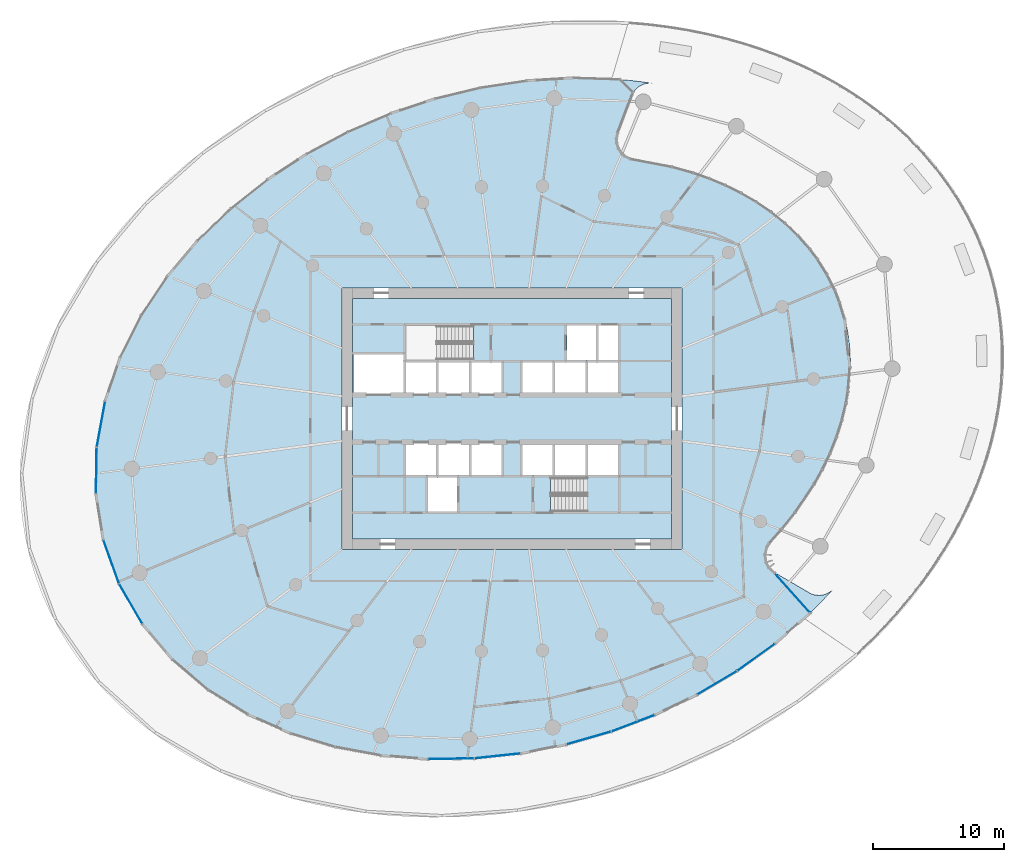
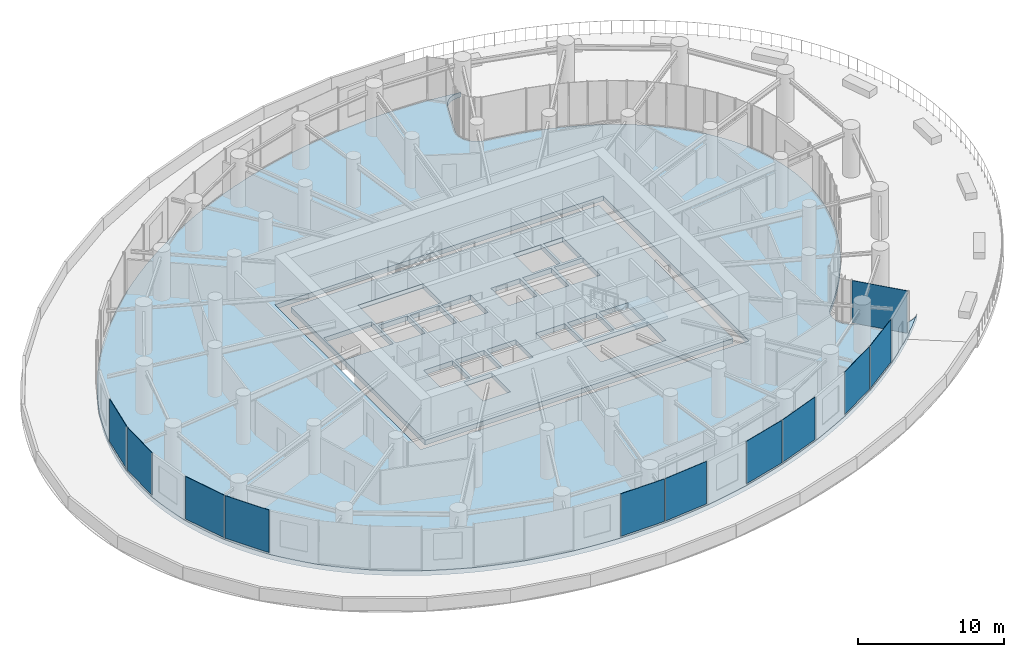
# One storey, part 9 of 24: 11 plates, 3 slabs, 6 elements without a shape of their own.
"""IFC4 building model written with IfcOpenShell, lengths in metres."""

from ifc_helpers import new_model, si_unit, direction, frame, origin, origin_2d, place, context, subcontext, project, spatial, line, indexed_curve, rectangle, outline, extrude, source, transform, mapped, material, layer, layer_set, type_object, element, aggregate, save


model = new_model("IFC4")

# Units and contexts
model_context = context("Model", 3, precision=1e-05, world=origin(), true_north=direction((0.0, 1.0)))
body_context = subcontext(model_context, "Body", "Model", "MODEL_VIEW")
ifc_project = project(units=[si_unit("LENGTHUNIT", "METRE"), si_unit("AREAUNIT", "SQUARE_METRE"), si_unit("VOLUMEUNIT", "CUBIC_METRE"), si_unit("PLANEANGLEUNIT", "RADIAN"), si_unit("MASSUNIT", "GRAM", prefix="KILO")], contexts=[model_context])

# Site, building, storey
site_placement = place(None, origin())
site = spatial("IfcSite", under=ifc_project, at=site_placement, CompositionType="ELEMENT")
building_placement = place(site_placement, origin())
building = spatial("IfcBuilding", under=site, at=building_placement, Name="Spindrift Exchange Tower", CompositionType="ELEMENT")
storey_placement = place(building_placement, frame((0.0, 0.0, 79.800048828125)))
storey = spatial("IfcBuildingStorey", under=building, at=storey_placement, Name="L18", CompositionType="ELEMENT", Elevation=79.800048828125)

# Slabs
ifc_material_1 = material(Name="Concrete 50 MPa", Category="concrete")
ifc_layer_1 = layer(ifc_material_1, 0.39990234375)
ifc_layer_set_1 = layer_set([ifc_layer_1], Name="RC Floor Slab 400 Concrete 50 MPa")
slab_type_1 = type_object("IfcSlabType", Name="RC Floor Slab 400 Concrete 50 MPa", PredefinedType="FLOOR", material=ifc_layer_set_1)
slab_1_placement = place(storey_placement, frame((0.0, 0.0, -0.400146484375)))
element("IfcSlab", 1, at=slab_1_placement, inside=storey, type_object=slab_type_1, Name="Floor slab L18", PredefinedType="FLOOR", context=body_context, shape_type="SweptSolid", body=[
    extrude(outline(indexed_curve([(76.538330078125, 34.968505859375), (75.668212890625, 34.03564453125), (75.313720703125, 33.67529296875), (74.58984375, 32.9697265625), (74.220703125, 32.62451171875), (73.468017578125, 31.949951171875), (72.697021484375, 31.2958984375), (71.908935546875, 30.6630859375), (71.5087890625, 30.354248046875), (70.6962890625, 29.752685546875), (70.284423828125, 29.4599609375), (69.449462890625, 28.89013671875), (69.026611328125, 28.61328125), (68.1708984375, 28.075439453125), (67.73779296875, 27.814697265625), (66.862548828125, 27.30908203125), (65.97509765625, 26.8251953125), (65.075927734375, 26.363037109375), (64.166015625, 25.9228515625), (63.707275390625, 25.711181640625), (63.245849609375, 25.504638671875), (62.315673828125, 25.108642578125), (61.37646484375, 24.735107421875), (60.903564453125, 24.556640625), (60.4287109375, 24.384033203125), (59.472412109375, 24.0556640625), (58.509033203125, 23.75), (58.0244140625, 23.60595703125), (57.050537109375, 23.335205078125), (56.070556640625, 23.088134765625), (55.578125, 22.973388671875), (54.58984375, 22.76171875), (54.09375, 22.6650390625), (53.09814453125, 22.489990234375), (52.598876953125, 22.41162109375), (51.597412109375, 22.273193359375), (50.593017578125, 22.160400390625), (49.5859375, 22.072509765625), (48.576904296875, 22.0107421875), (48.072021484375, 21.98974609375), (47.0615234375, 21.96728515625), (46.555908203125, 21.96630859375), (45.54541015625, 21.984375), (45.040283203125, 22.003662109375), (44.03125, 22.063232421875), (43.024169921875, 22.151123046875), (42.020263671875, 22.267578125), (41.51953125, 22.336669921875), (40.521484375, 22.497314453125), (39.52880859375, 22.687744140625), (39.03466796875, 22.79443359375), (38.052001953125, 23.031005859375), (37.077392578125, 23.298828125), (36.593505859375, 23.444580078125), (35.63330078125, 23.760498046875), (34.684326171875, 24.10888671875), (34.214599609375, 24.295654296875), (33.28564453125, 24.694091796875), (32.371826171875, 25.126220703125), (31.921142578125, 25.35498046875), (31.03369140625, 25.83837890625), (30.596923828125, 26.09326171875), (30.16552734375, 26.3564453125), (29.73974609375, 26.628662109375), (29.3193359375, 26.9091796875), (28.905029296875, 27.19873046875), (28.4970703125, 27.496826171875), (28.09521484375, 27.8037109375), (27.700439453125, 28.119384765625), (27.312744140625, 28.443359375), (26.93212890625, 28.776123046875), (26.559326171875, 29.1171875), (26.1943359375, 29.467041015625), (25.837646484375, 29.824951171875), (25.489501953125, 30.19140625), (25.150146484375, 30.56591796875), (24.819580078125, 30.948486328125), (24.498779296875, 31.3388671875), (24.1875, 31.737060546875), (23.885986328125, 32.142578125), (23.594970703125, 32.555908203125), (23.314453125, 32.976318359375), (23.04443359375, 33.403564453125), (22.78564453125, 33.837646484375), (22.537841796875, 34.2783203125), (22.3017578125, 34.72509765625), (22.0771484375, 35.177734375), (21.864501953125, 35.63623046875), (21.663818359375, 36.10009765625), (21.475341796875, 36.569091796875), (21.29931640625, 37.04296875), (21.135498046875, 37.52099609375), (20.984619140625, 38.00341796875), (20.84619140625, 38.489501953125), (20.720458984375, 38.97900390625), (20.607666015625, 39.4716796875), (20.507568359375, 39.967041015625), (20.42041015625, 40.46484375), (20.345947265625, 40.96484375), (20.2841796875, 41.466552734375), (20.2353515625, 41.969482421875), (20.198974609375, 42.4736328125), (20.17529296875, 42.978515625), (20.164306640625, 43.48388671875), (20.16552734375, 43.9892578125), (20.178955078125, 44.494384765625), (20.20458984375, 44.999267578125), (20.2421875, 45.503173828125), (20.29150390625, 46.006103515625), (20.3525390625, 46.5078125), (20.42529296875, 47.008056640625), (20.509033203125, 47.506591796875), (20.60400390625, 48.0029296875), (20.7099609375, 48.497314453125), (20.826416015625, 48.989013671875), (20.95361328125, 49.47802734375), (21.091064453125, 49.964599609375), (21.238525390625, 50.447998046875), (21.39599609375, 50.92822265625), (21.56298828125, 51.4052734375), (21.92578125, 52.3486328125), (22.12060546875, 52.81494140625), (22.537109375, 53.736083984375), (22.75830078125, 54.1904296875), (23.22509765625, 55.0869140625), (23.470703125, 55.52880859375), (23.984375, 56.3994140625), (24.25244140625, 56.827880859375), (24.809814453125, 57.671142578125), (25.098876953125, 58.085693359375), (25.697021484375, 58.900634765625), (26.005615234375, 59.30078125), (26.641357421875, 60.086669921875), (26.96826171875, 60.47216796875), (27.638916015625, 61.228515625), (27.98291015625, 61.598876953125), (28.686279296875, 62.32470703125), (29.045654296875, 62.68017578125), (29.779296875, 63.37548828125), (30.531982421875, 64.050048828125), (31.302978515625, 64.7041015625), (31.69482421875, 65.023193359375), (32.4912109375, 65.645751953125), (32.8955078125, 65.94921875), (33.715576171875, 66.5400390625), (34.550537109375, 67.10986328125), (34.973388671875, 67.38671875), (35.8291015625, 67.924560546875), (36.6982421875, 68.44091796875), (37.137451171875, 68.69091796875), (38.02490234375, 69.1748046875), (38.47314453125, 69.40869140625), (39.377685546875, 69.859619140625), (39.833984375, 70.0771484375), (40.754150390625, 70.495361328125), (41.684326171875, 70.891357421875), (42.62353515625, 71.264892578125), (43.5712890625, 71.615966796875), (44.527587890625, 71.9443359375), (45.490966796875, 72.25), (45.9755859375, 72.39404296875), (46.949462890625, 72.664794921875), (47.929443359375, 72.911865234375), (48.915283203125, 73.135498046875), (49.41015625, 73.23828125), (50.403564453125, 73.425537109375), (51.401123046875, 73.58837890625), (52.402587890625, 73.726806640625), (52.904296875, 73.786376953125), (53.91015625, 73.88671875), (54.4140625, 73.927490234375), (55.423095703125, 73.9892578125), (55.927978515625, 74.01025390625), (56.9384765625, 74.03271484375), (57.94921875, 74.028076171875), (58.959716796875, 73.996337890625), (59.46435546875, 73.969970703125), (60.47265625, 73.896484375), (60.975830078125, 73.848876953125), (61.979736328125, 73.732421875), (62.741455078125, 73.623291015625), (62.63720703125, 73.634033203125), (62.490478515625, 73.635009765625), (62.344482421875, 73.621337890625), (62.200439453125, 73.59375), (62.059814453125, 73.552001953125), (61.923828125, 73.4970703125), (61.7939453125, 73.428955078125), (61.67138671875, 73.348388671875), (61.55712890625, 73.256591796875), (61.452392578125, 73.15380859375), (61.3583984375, 73.041259765625), (61.275634765625, 72.92041015625), (61.205078125, 72.791748046875), (61.1474609375, 72.656982421875), (60.097900390625, 69.82861328125), (60.052734375, 69.685546875), (60.022216796875, 69.538330078125), (60.00634765625, 69.388916015625), (60.005615234375, 69.23876953125), (60.019775390625, 69.08935546875), (60.048828125, 68.94189453125), (60.092529296875, 68.798095703125), (60.150390625, 68.65966796875), (60.2216796875, 68.52734375), (60.305908203125, 68.403076171875), (60.402099609375, 68.28759765625), (60.509521484375, 68.1826171875), (60.626708984375, 68.08837890625), (60.752685546875, 68.0068359375), (60.88623046875, 67.93798828125), (61.026123046875, 67.883056640625), (61.170654296875, 67.84228515625), (62.182861328125, 67.689697265625), (62.5966796875, 67.619384765625), (63.40673828125, 67.462158203125), (64.209716796875, 67.27978515625), (65.027587890625, 67.06591796875), (65.4501953125, 66.943359375), (66.257568359375, 66.685791015625), (66.6806640625, 66.537841796875), (67.484130859375, 66.230712890625), (67.905029296875, 66.05517578125), (68.69921875, 65.694580078125), (69.099609375, 65.497314453125), (69.512451171875, 65.2822265625), (69.906982421875, 65.06494140625), (70.282470703125, 64.846923828125), (70.684326171875, 64.6005859375), (71.066162109375, 64.35302734375), (71.44287109375, 64.095458984375), (71.7978515625, 63.83935546875), (72.177978515625, 63.549560546875), (72.53564453125, 63.260986328125), (72.869873046875, 62.976318359375), (73.212158203125, 62.668212890625), (73.5615234375, 62.334716796875), (73.88623046875, 62.005615234375), (74.18603515625, 61.68359375), (74.4912109375, 61.3359375), (74.78564453125, 60.978759765625), (75.083251953125, 60.59326171875), (75.340576171875, 60.23681640625), (75.60009765625, 59.852783203125), (75.85986328125, 59.439208984375), (76.09326171875, 59.0380859375), (76.3017578125, 58.651611328125), (76.508544921875, 58.236328125), (76.701416015625, 57.814208984375), (76.88916015625, 57.3623046875), (77.052001953125, 56.927490234375), (77.2001953125, 56.48779296875), (77.33349609375, 56.043212890625), (77.451416015625, 55.594482421875), (77.55419921875, 55.14208984375), (77.6376953125, 54.7109375), (77.7109375, 54.252685546875), (77.771728515625, 53.76806640625), (77.814208984375, 53.306396484375), (77.840576171875, 52.86767578125), (77.854248046875, 52.380859375), (77.8525390625, 51.917724609375), (77.83642578125, 51.45556640625), (77.808349609375, 51.0166015625), (77.765380859375, 50.556396484375), (77.7060546875, 50.076904296875), (77.63623046875, 49.621826171875), (77.5576171875, 49.189697265625), (77.46337890625, 48.739990234375), (77.352783203125, 48.27490234375), (77.239990234375, 47.851806640625), (77.11181640625, 47.4140625), (76.972900390625, 46.980712890625), (76.81787109375, 46.53564453125), (76.665283203125, 46.12890625), (76.497314453125, 45.7109375), (76.314208984375, 45.283203125), (76.12890625, 44.876708984375), (75.74267578125, 44.09521484375), (75.52783203125, 43.69287109375), (75.1005859375, 42.9462890625), (74.86669921875, 42.563720703125), (74.40478515625, 41.853271484375), (74.1552734375, 41.490966796875), (73.65771484375, 40.807373046875), (73.151611328125, 40.157958984375), (72.6240234375, 39.523193359375), (72.348388671875, 39.206787109375), (71.661376953125, 38.447998046875), (71.575439453125, 38.324951171875), (71.502197265625, 38.19384765625), (71.442138671875, 38.055908203125), (71.396484375, 37.912841796875), (71.364990234375, 37.76611328125), (71.3486328125, 37.61669921875), (71.347412109375, 37.466552734375), (71.36083984375, 37.31689453125), (71.389404296875, 37.16943359375), (71.432373046875, 37.025390625), (71.489501953125, 36.88671875), (71.560302734375, 36.754150390625), (71.643798828125, 36.62939453125), (71.73974609375, 36.513427734375), (71.846435546875, 36.407958984375), (71.96337890625, 36.3134765625), (72.0888671875, 36.231201171875), (74.69189453125, 34.70654296875), (74.82177734375, 34.638671875), (74.957763671875, 34.583984375), (75.098388671875, 34.54248046875), (75.24267578125, 34.51513671875), (75.388671875, 34.501953125), (75.535400390625, 34.5029296875), (75.68115234375, 34.518310546875), (75.82470703125, 34.5478515625), (75.96484375, 34.59130859375), (76.10009765625, 34.648193359375), (76.22900390625, 34.718017578125), (76.3505859375, 34.7998046875), (76.463623046875, 34.893310546875)], segments=[line(1, 2, 3, 4, 5, 6, 7, 8, 9, 10, 11, 12, 13, 14, 15, 16, 17, 18, 19, 20, 21, 22, 23, 24, 25, 26, 27, 28, 29, 30, 31, 32, 33, 34, 35, 36, 37, 38, 39, 40, 41, 42, 43, 44, 45, 46, 47, 48, 49, 50, 51, 52, 53, 54, 55, 56, 57, 58, 59, 60, 61, 62, 63, 64, 65, 66, 67, 68, 69, 70, 71, 72, 73, 74, 75, 76, 77, 78, 79, 80, 81, 82, 83, 84, 85, 86, 87, 88, 89, 90, 91, 92, 93, 94, 95, 96, 97, 98, 99, 100, 101, 102, 103, 104, 105, 106, 107, 108, 109, 110, 111, 112, 113, 114, 115, 116, 117, 118, 119, 120, 121, 122, 123, 124, 125, 126, 127, 128, 129, 130, 131, 132, 133, 134, 135, 136, 137, 138, 139, 140, 141, 142, 143, 144, 145, 146, 147, 148, 149, 150, 151, 152, 153, 154, 155, 156, 157, 158, 159, 160, 161, 162, 163, 164, 165, 166, 167, 168, 169, 170, 171, 172, 173, 174, 175, 176, 177, 178, 179, 180, 181, 182, 183, 184, 185, 186, 187, 188, 189, 190, 191, 192, 193, 194, 195, 196, 197, 198, 199, 200, 201, 202, 203, 204, 205, 206, 207, 208, 209, 210, 211, 212, 213, 214, 215, 216, 217, 218, 219, 220, 221, 222, 223, 224, 225, 226, 227, 228, 229, 230, 231, 232, 233, 234, 235, 236, 237, 238, 239, 240, 241, 242, 243, 244, 245, 246, 247, 248, 249, 250, 251, 252, 253, 254, 255, 256, 257, 258, 259, 260, 261, 262, 263, 264, 265, 266, 267, 268, 269, 270, 271, 272, 273, 274, 275, 276, 277, 278, 279, 280, 281, 282, 283, 284, 285, 286, 287, 288, 289, 290, 291, 292, 293, 294, 295, 296, 297, 298, 299, 300, 301, 302, 303, 304, 305, 306, 307, 308, 309, 310, 311, 312, 313, 314, 315, 316, 317, 318, 319, 320, 1)], self_intersect=False), holes=[indexed_curve([(39.0, 38.0), (65.0, 38.0), (65.0, 58.0), (39.0, 58.0)], segments=[line(1, 2, 3, 4, 1)], self_intersect=False)]), origin(), (0.0, 0.0, 1.0), 0.400146484375),
])
ifc_layer_2 = layer(ifc_material_1, 0.39990234375)
ifc_layer_set_2 = layer_set([ifc_layer_2], Name="SL-CORE-FLOOR-400")
slab_type_2 = type_object("IfcSlabType", Name="SL-CORE-FLOOR-400", PredefinedType="FLOOR", material=ifc_layer_set_2)
slab_2_placement = place(storey_placement, frame((0.0, 0.0, -0.400146484375)))
element("IfcSlab", 2, at=slab_2_placement, inside=storey, type_object=slab_type_2, Name="L18 Core floor slab", PredefinedType="FLOOR", context=body_context, shape_type="SweptSolid", body=[
    extrude(outline(indexed_curve([(39.800048828125, 38.800048828125), (39.800048828125, 57.199951171875), (64.199951171875, 57.199951171875), (64.199951171875, 38.800048828125)], segments=[line(1, 2, 3, 4, 1)], self_intersect=False), holes=[indexed_curve([(47.800048828125, 43.5), (45.60009765625, 43.5), (45.60009765625, 40.89990234375), (47.800048828125, 40.89990234375)], segments=[line(1, 2, 3, 4, 1)], self_intersect=False), indexed_curve([(46.199951171875, 46.10009765625), (43.89990234375, 46.10009765625), (43.89990234375, 43.699951171875), (46.199951171875, 43.699951171875)], segments=[line(1, 2, 3, 4, 1)], self_intersect=False), indexed_curve([(48.699951171875, 46.10009765625), (46.39990234375, 46.10009765625), (46.39990234375, 43.699951171875), (48.699951171875, 43.699951171875)], segments=[line(1, 2, 3, 4, 1)], self_intersect=False), indexed_curve([(51.199951171875, 46.10009765625), (48.89990234375, 46.10009765625), (48.89990234375, 43.699951171875), (51.199951171875, 43.699951171875)], segments=[line(1, 2, 3, 4, 1)], self_intersect=False), indexed_curve([(46.199951171875, 52.300048828125), (43.89990234375, 52.300048828125), (43.89990234375, 49.89990234375), (46.199951171875, 49.89990234375)], segments=[line(1, 2, 3, 4, 1)], self_intersect=False), indexed_curve([(48.699951171875, 52.300048828125), (46.39990234375, 52.300048828125), (46.39990234375, 49.89990234375), (48.699951171875, 49.89990234375)], segments=[line(1, 2, 3, 4, 1)], self_intersect=False), indexed_curve([(51.199951171875, 52.300048828125), (48.89990234375, 52.300048828125), (48.89990234375, 49.89990234375), (51.199951171875, 49.89990234375)], segments=[line(1, 2, 3, 4, 1)], self_intersect=False), indexed_curve([(43.699951171875, 49.89990234375), (43.699951171875, 52.89990234375), (39.89990234375, 52.89990234375), (39.89990234375, 49.89990234375)], segments=[line(1, 2, 3, 4, 1)], self_intersect=False), indexed_curve([(49.0439453125, 55.093994140625), (43.906005859375, 55.093994140625), (43.906005859375, 52.506103515625), (49.0439453125, 52.506103515625)], segments=[line(1, 2, 3, 4, 1)], self_intersect=False), indexed_curve([(60.093994140625, 40.906005859375), (60.093994140625, 43.493896484375), (54.9560546875, 43.493896484375), (54.9560546875, 40.906005859375)], segments=[line(1, 2, 3, 4, 1)], self_intersect=False), indexed_curve([(55.10009765625, 46.10009765625), (52.800048828125, 46.10009765625), (52.800048828125, 43.699951171875), (55.10009765625, 43.699951171875)], segments=[line(1, 2, 3, 4, 1)], self_intersect=False), indexed_curve([(57.60009765625, 46.10009765625), (55.300048828125, 46.10009765625), (55.300048828125, 43.699951171875), (57.60009765625, 43.699951171875)], segments=[line(1, 2, 3, 4, 1)], self_intersect=False), indexed_curve([(60.10009765625, 46.10009765625), (57.800048828125, 46.10009765625), (57.800048828125, 43.699951171875), (60.10009765625, 43.699951171875)], segments=[line(1, 2, 3, 4, 1)], self_intersect=False), indexed_curve([(55.10009765625, 52.300048828125), (52.800048828125, 52.300048828125), (52.800048828125, 49.89990234375), (55.10009765625, 49.89990234375)], segments=[line(1, 2, 3, 4, 1)], self_intersect=False), indexed_curve([(57.60009765625, 52.300048828125), (55.300048828125, 52.300048828125), (55.300048828125, 49.89990234375), (57.60009765625, 49.89990234375)], segments=[line(1, 2, 3, 4, 1)], self_intersect=False), indexed_curve([(60.10009765625, 52.300048828125), (57.800048828125, 52.300048828125), (57.800048828125, 49.89990234375), (60.10009765625, 49.89990234375)], segments=[line(1, 2, 3, 4, 1)], self_intersect=False), indexed_curve([(58.39990234375, 52.5), (58.39990234375, 55.10009765625), (56.199951171875, 55.10009765625), (56.199951171875, 52.5)], segments=[line(1, 2, 3, 4, 1)], self_intersect=False), indexed_curve([(60.10009765625, 52.5), (60.10009765625, 55.10009765625), (58.60009765625, 55.10009765625), (58.60009765625, 52.5)], segments=[line(1, 2, 3, 4, 1)], self_intersect=False)]), origin(), (0.0, 0.0, 1.0), 0.400146484375),
])

# Stair, slab
stair_type = type_object("IfcStairType", Name="ST-1250-R186", PredefinedType="HALF_TURN_STAIR", material=ifc_material_1)
stair_placement = place(storey_placement, origin())
stair = element("IfcStair", 3, at=stair_placement, inside=storey, type_object=stair_type, Name="L18 Exit stair ST2", PredefinedType="HALF_TURN_STAIR")
ifc_layer_3 = layer(ifc_material_1, 0.199951171875)
ifc_layer_set_3 = layer_set([ifc_layer_3], Name="SL-LANDING")
slab_type_3 = type_object("IfcSlabType", Name="SL-LANDING", PredefinedType="LANDING", material=ifc_layer_set_3)
slab_3_placement = place(storey_placement, frame((0.0, 0.0, 1.849853515625)))
slab_3 = element("IfcSlab", 4, at=slab_3_placement, type_object=slab_type_3, Name="ST2 landing 1", PredefinedType="LANDING", context=body_context, shape_type="SweptSolid", body=[
    extrude(outline(indexed_curve([(57.669921875, 43.60009765625), (60.199951171875, 43.60009765625), (60.199951171875, 40.800048828125), (57.669921875, 40.800048828125)], segments=[line(1, 2, 3, 4, 1)], self_intersect=False)), origin(), (0.0, 0.0, 1.0), 0.2001953125),
])
aggregate(stair, [slab_3])

# Curtain wall, plate
ifc_material_2 = material(Name="Fritted laminated glass with bronze frame", Category="glass")
ifc_layer_4 = layer(ifc_material_2, 0.18994140625)
ifc_layer_set_4 = layer_set([ifc_layer_4], Name="ZONE 2 BRONZE FRITTED WALL")
curtain_wall_type_1 = type_object("IfcCurtainWallType", Name="ZONE 2 BRONZE FRITTED WALL", PredefinedType="NOTDEFINED", material=ifc_layer_set_4)
curtain_wall_1_placement = place(storey_placement, origin())
curtain_wall_1 = element("IfcCurtainWall", 5, at=curtain_wall_1_placement, inside=storey, type_object=curtain_wall_type_1, Name="L18 Zone 2 Bronze Fritted Wall run 5", PredefinedType="NOTDEFINED")
ifc_material_3 = material(Name="Bronze tinted laminated glass, light frit", Category="glass")
ifc_layer_5 = layer(ifc_material_3, 0.033935546875)
ifc_layer_set_5 = layer_set([ifc_layer_5], Name="ZONE 2 BRONZE FRITTED WALL PANEL LIGHT FRIT 1200")
plate_type_1 = type_object("IfcPlateType", Name="ZONE 2 BRONZE FRITTED WALL PANEL LIGHT FRIT 1200", PredefinedType="CURTAIN_PANEL", material=ifc_layer_set_5)
shared_shape_1 = source(origin(), body_context, "Body", "SweptSolid", [
    extrude(rectangle(XDim=3.49169921875, YDim=0.033935546875, at=origin_2d()), origin(), (0.0, 0.0, 1.0), 3.56005859375),
])
plate_1_placement = place(storey_placement, frame((57.871337890625, 23.60107421875, 0.139892578125), z_axis=(0.0, 0.0, 1.0), x_axis=(0.961181315092, 0.275917523037, 0.0)))
plate_1 = element("IfcPlate", 6, at=plate_1_placement, type_object=plate_type_1, Name="L18 panel CW-2.30", PredefinedType="CURTAIN_PANEL", context=body_context, shape_type="MappedRepresentation", body=[
    mapped(shared_shape_1, transform((0.0, 0.0, 0.0), scale=1.0)),
])

# Curtain wall, plates
curtain_wall_2_placement = place(storey_placement, origin())
curtain_wall_2 = element("IfcCurtainWall", 7, at=curtain_wall_2_placement, inside=storey, type_object=curtain_wall_type_1, Name="L18 Zone 2 Bronze Fritted Wall run 6", PredefinedType="NOTDEFINED")
plate_2_placement = place(storey_placement, frame((61.251953125, 24.727783203125, 0.139892578125), z_axis=(0.0, 0.0, 1.0), x_axis=(0.934533444861, 0.355875315857, 0.0)))
plate_2 = element("IfcPlate", 8, at=plate_2_placement, type_object=plate_type_1, Name="L18 panel CW-2.31", PredefinedType="CURTAIN_PANEL", context=body_context, shape_type="MappedRepresentation", body=[
    mapped(shared_shape_1, transform((0.0, 0.0, 0.0), scale=1.0)),
])
plate_3_placement = place(storey_placement, frame((67.666748046875, 27.81787109375, 0.139892578125), z_axis=(0.0, 0.0, 1.0), x_axis=(0.860400670885, 0.509618176226, 0.0)))
plate_3 = element("IfcPlate", 9, at=plate_3_placement, type_object=plate_type_1, Name="L18 panel CW-2.33", PredefinedType="CURTAIN_PANEL", context=body_context, shape_type="MappedRepresentation", body=[
    mapped(shared_shape_1, transform((0.0, 0.0, 0.0), scale=1.0)),
])

# Plate
shared_shape_2 = source(origin(), body_context, "Body", "SweptSolid", [
    extrude(rectangle(XDim=3.491455078125, YDim=0.033935546875, at=origin_2d()), origin(), (0.0, 0.0, 1.0), 3.56005859375),
])
plate_4_placement = place(storey_placement, frame((50.884521484375, 22.23046875, 0.139892578125), z_axis=(0.0, 0.0, 1.0), x_axis=(0.994304697232, 0.106574711176, 0.0)))
plate_4 = element("IfcPlate", 10, at=plate_4_placement, type_object=plate_type_1, Name="L18 panel CW-2.28", PredefinedType="CURTAIN_PANEL", context=body_context, shape_type="MappedRepresentation", body=[
    mapped(shared_shape_2, transform((0.0, 0.0, 0.0), scale=1.0)),
])

# Curtain wall, plates
curtain_wall_3_placement = place(storey_placement, origin())
curtain_wall_3 = element("IfcCurtainWall", 11, at=curtain_wall_3_placement, inside=storey, type_object=curtain_wall_type_1, Name="L18 Zone 2 Bronze Fritted Wall run 3", PredefinedType="NOTDEFINED")
shared_shape_3 = source(origin(), body_context, "Body", "SweptSolid", [
    extrude(rectangle(XDim=3.489013671875, YDim=0.033935546875, at=origin_2d()), origin(), (0.0, 0.0, 1.0), 3.56005859375),
])
plate_5_placement = place(storey_placement, frame((20.593994140625, 47.58154296875, 0.139892578125), z_axis=(0.0, 0.0, 1.0), x_axis=(-0.180215288519, -0.983627190446, 0.0)))
plate_5 = element("IfcPlate", 12, at=plate_5_placement, type_object=plate_type_1, Name="L18 panel CW-2.15", PredefinedType="CURTAIN_PANEL", context=body_context, shape_type="MappedRepresentation", body=[
    mapped(shared_shape_3, transform((0.0, 0.0, 0.0), scale=1.0)),
])
shared_shape_4 = source(origin(), body_context, "Body", "SweptSolid", [
    extrude(rectangle(XDim=3.48828125, YDim=0.033935546875, at=origin_2d()), origin(), (0.0, 0.0, 1.0), 3.56005859375),
])
plate_6_placement = place(storey_placement, frame((20.24267578125, 44.04736328125, 0.139892578125), z_axis=(0.0, 0.0, 1.0), x_axis=(-0.016949825986, -0.999856341381, 0.0)))
plate_6 = element("IfcPlate", 13, at=plate_6_placement, type_object=plate_type_1, Name="L18 panel CW-2.16", PredefinedType="CURTAIN_PANEL", context=body_context, shape_type="MappedRepresentation", body=[
    mapped(shared_shape_4, transform((0.0, 0.0, 0.0), scale=1.0)),
])
ifc_layer_6 = layer(ifc_material_3, 0.033935546875)
ifc_layer_set_6 = layer_set([ifc_layer_6], Name="ZONE 2 BRONZE FRITTED WALL PANEL LIGHT FRIT 960")
plate_type_2 = type_object("IfcPlateType", Name="ZONE 2 BRONZE FRITTED WALL PANEL LIGHT FRIT 960", PredefinedType="CURTAIN_PANEL", material=ifc_layer_set_6)
shared_shape_5 = source(origin(), body_context, "Body", "SweptSolid", [
    extrude(rectangle(XDim=3.487548828125, YDim=0.033935546875, at=origin_2d()), origin(), (0.0, 0.0, 1.0), 3.56005859375),
])
plate_7_placement = place(storey_placement, frame((21.376708984375, 37.070556640625, 0.139892578125), z_axis=(0.0, 0.0, 1.0), x_axis=(0.336132181099, -0.94181482088, 0.0)))
plate_7 = element("IfcPlate", 14, at=plate_7_placement, type_object=plate_type_2, Name="L18 panel CW-2.18", PredefinedType="CURTAIN_PANEL", context=body_context, shape_type="MappedRepresentation", body=[
    mapped(shared_shape_5, transform((0.0, 0.0, 0.0), scale=1.0)),
])
aggregate(curtain_wall_3, [plate_5, plate_6, plate_7])

# Curtain wall, plate
curtain_wall_4_placement = place(storey_placement, origin())
curtain_wall_4 = element("IfcCurtainWall", 15, at=curtain_wall_4_placement, inside=storey, type_object=curtain_wall_type_1, Name="L18 Zone 2 Bronze Fritted Wall run 4", PredefinedType="NOTDEFINED")
shared_shape_6 = source(origin(), body_context, "Body", "SweptSolid", [
    extrude(rectangle(XDim=3.48779296875, YDim=0.033935546875, at=origin_2d()), origin(), (0.0, 0.0, 1.0), 3.56005859375),
])
plate_8_placement = place(storey_placement, frame((22.8701171875, 33.852294921875, 0.139892578125), z_axis=(0.0, 0.0, 1.0), x_axis=(0.502259496292, -0.864716946974, 0.0)))
plate_8 = element("IfcPlate", 16, at=plate_8_placement, type_object=plate_type_1, Name="L18 panel CW-2.19", PredefinedType="CURTAIN_PANEL", context=body_context, shape_type="MappedRepresentation", body=[
    mapped(shared_shape_6, transform((0.0, 0.0, 0.0), scale=1.0)),
])
aggregate(curtain_wall_4, [plate_8])

# Plate
ifc_layer_7 = layer(ifc_material_3, 0.033935546875)
ifc_layer_set_7 = layer_set([ifc_layer_7], Name="ZONE 2 BRONZE FRITTED WALL PANEL LIGHT FRIT 720")
plate_type_3 = type_object("IfcPlateType", Name="ZONE 2 BRONZE FRITTED WALL PANEL LIGHT FRIT 720", PredefinedType="CURTAIN_PANEL", material=ifc_layer_set_7)
shared_shape_7 = source(origin(), body_context, "Body", "SweptSolid", [
    extrude(rectangle(XDim=3.491455078125, YDim=0.033935546875, at=origin_2d()), origin(), (0.0, 0.0, 1.0), 3.56005859375),
])
plate_9_placement = place(storey_placement, frame((47.328369140625, 22.012451171875, 0.139892578125), z_axis=(0.0, 0.0, 1.0), x_axis=(0.999877152806, 0.015674160138, 0.0)))
plate_9 = element("IfcPlate", 17, at=plate_9_placement, type_object=plate_type_3, Name="L18 panel CW-2.27", PredefinedType="CURTAIN_PANEL", context=body_context, shape_type="MappedRepresentation", body=[
    mapped(shared_shape_7, transform((0.0, 0.0, 0.0), scale=1.0)),
])

aggregate(curtain_wall_1, [plate_9, plate_4, plate_1])

plate_10_placement = place(storey_placement, frame((70.648681640625, 29.768310546875, 0.139892578125), z_axis=(0.0, 0.0, 1.0), x_axis=(0.811638218665, 0.584160424886, 0.0)))
plate_10 = element("IfcPlate", 18, at=plate_10_placement, type_object=plate_type_3, Name="L18 panel CW-2.34", PredefinedType="CURTAIN_PANEL", context=body_context, shape_type="MappedRepresentation", body=[
    mapped(shared_shape_7, transform((0.0, 0.0, 0.0), scale=1.0)),
])

aggregate(curtain_wall_2, [plate_2, plate_3, plate_10])

# Curtain wall, plate
ifc_layer_8 = layer(ifc_material_2, 0.199951171875)
ifc_layer_set_8 = layer_set([ifc_layer_8], Name="SKY GARDEN BRONZE GLAZED WALL")
curtain_wall_type_2 = type_object("IfcCurtainWallType", Name="SKY GARDEN BRONZE GLAZED WALL", PredefinedType="NOTDEFINED", material=ifc_layer_set_8)
curtain_wall_5_placement = place(storey_placement, origin())
curtain_wall_5 = element("IfcCurtainWall", 19, at=curtain_wall_5_placement, inside=storey, type_object=curtain_wall_type_2, Name="L18 Sky Garden Bronze Glazed Wall run 7", PredefinedType="NOTDEFINED")
ifc_material_4 = material(Name="Bronze tinted laminated glass, clear vision", Category="glass")
ifc_layer_9 = layer(ifc_material_4, 0.0380859375)
ifc_layer_set_9 = layer_set([ifc_layer_9], Name="SKY GARDEN BRONZE GLAZED WALL PANEL CLEAR 1200")
plate_type_4 = type_object("IfcPlateType", Name="SKY GARDEN BRONZE GLAZED WALL PANEL CLEAR 1200", PredefinedType="CURTAIN_PANEL", material=ifc_layer_set_9)
shared_shape_8 = source(origin(), body_context, "Body", "SweptSolid", [
    extrude(rectangle(XDim=3.98974609375, YDim=0.0380859375, at=origin_2d()), origin(), (0.0, 0.0, 1.0), 3.550048828125),
])
plate_11_placement = place(storey_placement, frame((73.424072265625, 34.672119140625, 0.14990234375), z_axis=(0.0, 0.0, 1.0), x_axis=(-0.66719056738, 0.744887069829, 0.0)))
plate_11 = element("IfcPlate", 20, at=plate_11_placement, type_object=plate_type_4, Name="L18 panel CW-G.36", PredefinedType="CURTAIN_PANEL", context=body_context, shape_type="MappedRepresentation", body=[
    mapped(shared_shape_8, transform((0.0, 0.0, 0.0), scale=1.0)),
])
aggregate(curtain_wall_5, [plate_11])

save(model, "model.ifc")
